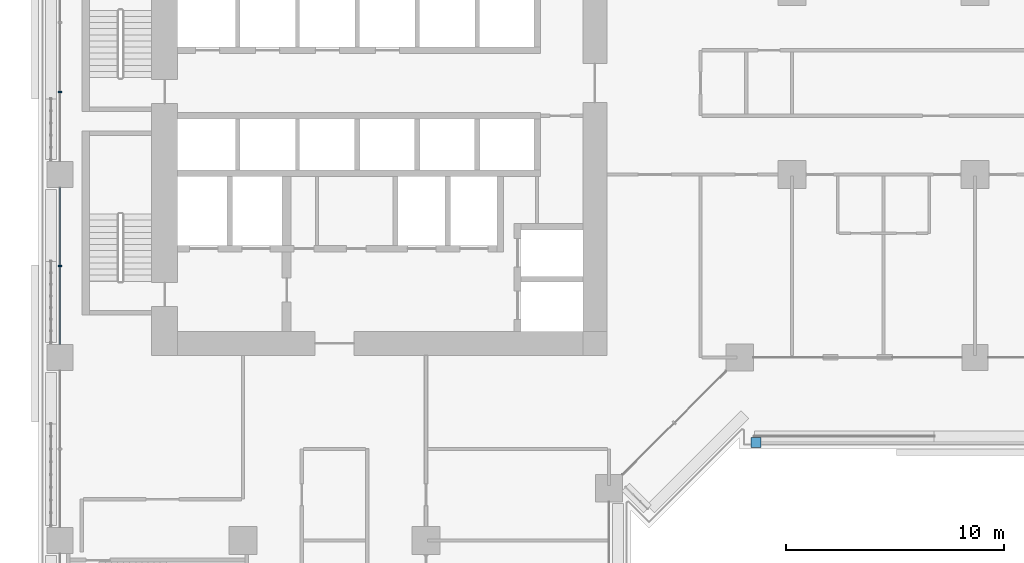
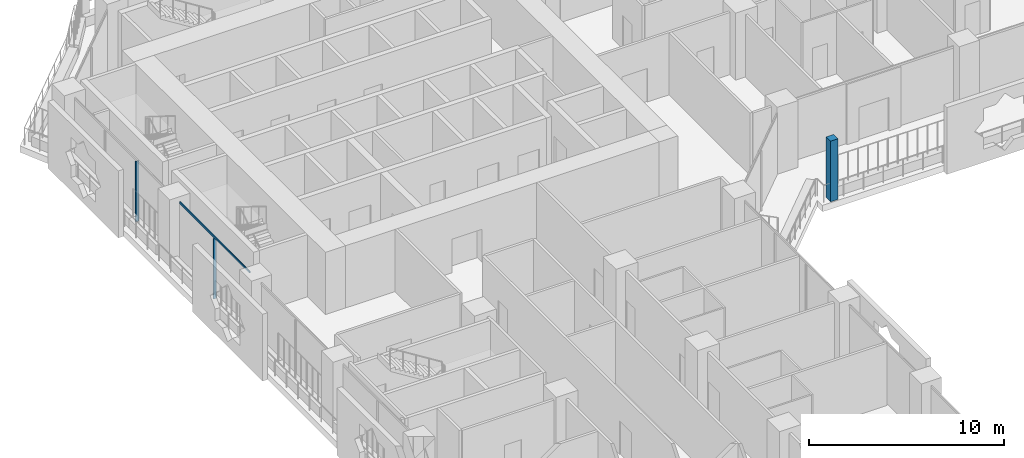
# One storey, part 5 of 29: 4 members, 2 elements without a shape of their own.
"""IFC4 building model written with IfcOpenShell, lengths in metres."""

from ifc_helpers import new_model, si_unit, direction, frame, origin, origin_2d, place, context, subcontext, project, spatial, rectangle, extrude, material, layer, layer_set, material_profile, profile_set, type_object, element, aggregate, save


model = new_model("IFC4")

# Units and contexts
model_context = context("Model", 3, precision=1e-05, world=origin(), true_north=direction((0.0, 1.0)))
body_context = subcontext(model_context, "Body", "Model", "MODEL_VIEW")
ifc_project = project(units=[si_unit("LENGTHUNIT", "METRE"), si_unit("AREAUNIT", "SQUARE_METRE"), si_unit("VOLUMEUNIT", "CUBIC_METRE"), si_unit("PLANEANGLEUNIT", "RADIAN"), si_unit("MASSUNIT", "GRAM", prefix="KILO")], contexts=[model_context])

# Site, building, storey
site_placement = place(None, origin())
site = spatial("IfcSite", under=ifc_project, at=site_placement, CompositionType="ELEMENT")
building_placement = place(site_placement, origin())
building = spatial("IfcBuilding", under=site, at=building_placement, Name="Kawkab Arch Medical Tower", CompositionType="ELEMENT")
storey_placement = place(building_placement, frame((0.0, 0.0, 64.39990234375)))
storey = spatial("IfcBuildingStorey", under=building, at=storey_placement, Name="L14", CompositionType="ELEMENT", Elevation=64.39990234375)

# Curtain wall, members
ifc_material_1 = material(Name="Bronze anodised aluminium curtain wall frame", Category="aluminium")
ifc_layer_1 = layer(ifc_material_1, 0.159912109375)
ifc_layer_set_1 = layer_set([ifc_layer_1], Name="Bronze anodised aluminium curtain wall frame")
curtain_wall_type_1 = type_object("IfcCurtainWallType", Name="CW1 ward curtain wall", PredefinedType="NOTDEFINED", material=ifc_layer_set_1)
placement = place(storey_placement, origin())
curtain_wall_1 = element("IfcCurtainWall", 1, at=placement, inside=storey, type_object=curtain_wall_type_1, Name="CW1 Ward curtain wall R01", PredefinedType="NOTDEFINED")
ifc_material_2 = material(Name="Bronze anodised aluminium curtain wall frame", Category="aluminium")
ifc_material_profile_1 = material_profile(ifc_material_2, rectangle(XDim=0.179931640625, YDim=0.06005859375, at=origin_2d()), Name="AL 60x180")
ifc_profile_set_1 = profile_set([ifc_material_profile_1], Name="Bronze anodised aluminium curtain wall frame")
member_type_1 = type_object("IfcMemberType", Name="CW1 mullion 60 x 180", PredefinedType="MULLION", material=ifc_profile_set_1)
member_1_placement = place(storey_placement, frame((0.0, -13.00830078125, 0.0), z_axis=(0.0, 0.0, 1.0), x_axis=(1.0, 0.0, 0.0)))
member_1 = element("IfcMember", 2, at=member_1_placement, type_object=member_type_1, Name="CW1 mullion 1.2", PredefinedType="MULLION", context=body_context, shape_type="SweptSolid", body=[
    extrude(rectangle(XDim=0.179931640625, YDim=0.06005859375, at=origin_2d()), origin(), (0.0, 0.0, 1.0), 3.780029296875),
])
member_2_placement = place(storey_placement, frame((0.0, -21.0, 0.0), z_axis=(0.0, 0.0, 1.0), x_axis=(1.0, 0.0, 0.0)))
member_2 = element("IfcMember", 3, at=member_2_placement, type_object=member_type_1, Name="CW1 mullion 2.1", PredefinedType="MULLION", context=body_context, shape_type="SweptSolid", body=[
    extrude(rectangle(XDim=0.179931640625, YDim=0.06005859375, at=origin_2d()), origin(), (0.0, 0.0, 1.0), 3.780029296875),
])
ifc_material_3 = material(Name="Bronze anodised aluminium curtain wall frame", Category="aluminium")
ifc_material_profile_2 = material_profile(ifc_material_3, rectangle(XDim=0.06005859375, YDim=0.1201171875, at=origin_2d()), Name="AL 60x120")
ifc_profile_set_2 = profile_set([ifc_material_profile_2], Name="Bronze anodised aluminium curtain wall frame")
member_type_2 = type_object("IfcMemberType", Name="CW1 transom 120 x 60", PredefinedType="USERDEFINED", material=ifc_profile_set_2)
member_3_placement = place(storey_placement, frame((0.0, -17.39990234375, 3.840087890625), z_axis=(0.0, -1.0, 0.0), x_axis=(1.0, 0.0, 0.0)))
member_3 = element("IfcMember", 4, at=member_3_placement, type_object=member_type_2, Name="CW1 transom 2", ObjectType="TRANSOM", PredefinedType="USERDEFINED", context=body_context, shape_type="SweptSolid", body=[
    extrude(rectangle(XDim=0.06005859375, YDim=0.1201171875, at=origin_2d()), origin(), (0.0, 0.0, 1.0), 7.2001953125),
])
aggregate(curtain_wall_1, [member_1, member_3, member_2])

# Curtain wall, member
ifc_material_4 = material(Name="Bronze anodised aluminium climber frame, planted", Category="aluminium")
ifc_layer_2 = layer(ifc_material_4, 0.449951171875)
ifc_layer_set_2 = layer_set([ifc_layer_2], Name="Bronze anodised aluminium climber frame, planted")
curtain_wall_type_2 = type_object("IfcCurtainWallType", Name="Planted climber frame", PredefinedType="NOTDEFINED", material=ifc_layer_set_2)
curtain_wall_2 = element("IfcCurtainWall", 5, at=placement, inside=storey, type_object=curtain_wall_type_2, Name="Planted climber frame L14", PredefinedType="NOTDEFINED")
ifc_material_5 = material(Name="Bronze anodised aluminium climber frame, planted", Category="aluminium")
ifc_material_profile_3 = material_profile(ifc_material_5, rectangle(XDim=0.449951171875, YDim=0.449951171875, at=origin_2d()), Name="Post 450x450")
ifc_profile_set_3 = profile_set([ifc_material_profile_3], Name="Bronze anodised aluminium climber frame, planted")
member_type_3 = type_object("IfcMemberType", Name="Planted climber post 450 x 450", PredefinedType="MULLION", material=ifc_profile_set_3)
member_4_placement = place(storey_placement, frame((31.949951171875, -29.10009765625, 0.0), z_axis=(0.0, 0.0, 1.0), x_axis=(1.0, 0.0, 0.0)))
member_4 = element("IfcMember", 6, at=member_4_placement, type_object=member_type_3, Name="Planted climber post L14.LOG-01-01.6", PredefinedType="MULLION", context=body_context, shape_type="SweptSolid", body=[
    extrude(rectangle(XDim=0.449951171875, YDim=0.449951171875, at=origin_2d()), origin(), (0.0, 0.0, 1.0), 3.800048828125),
])
aggregate(curtain_wall_2, [member_4])

save(model, "model.ifc")
